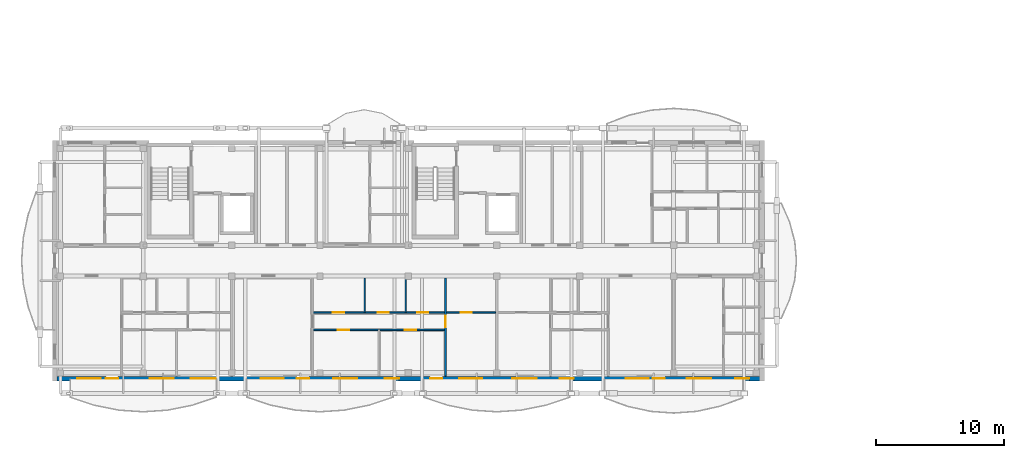
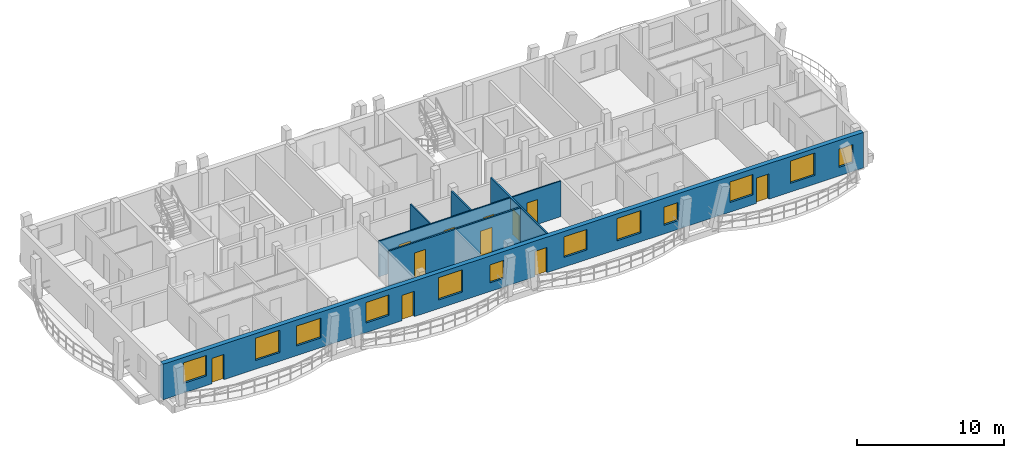
# One storey, part 16 of 48: 12 windows, 11 doors, 6 walls, 23 openings.
"""IFC4 building model written with IfcOpenShell, lengths in metres."""

from ifc_helpers import new_model, si_unit, direction, frame, frame_2d, origin, origin_with_axes, place, context, subcontext, project, spatial, rectangle, extrude, material, layer, layer_set, type_object, element, fill, save


model = new_model("IFC4")

# Units and contexts
model_context = context("Model", 3, precision=1e-05, world=origin(), true_north=direction((0.0, 1.0)))
body_context = subcontext(model_context, "Body", "Model", "MODEL_VIEW")
ifc_project = project(units=[si_unit("LENGTHUNIT", "METRE"), si_unit("AREAUNIT", "SQUARE_METRE"), si_unit("VOLUMEUNIT", "CUBIC_METRE"), si_unit("PLANEANGLEUNIT", "RADIAN"), si_unit("MASSUNIT", "GRAM", prefix="KILO")], contexts=[model_context])

# Site, building, storey
site_placement = place(None, origin())
site = spatial("IfcSite", under=ifc_project, at=site_placement, CompositionType="ELEMENT")
building_placement = place(site_placement, origin())
building = spatial("IfcBuilding", under=site, at=building_placement, Name="Zavelmont Quarter", CompositionType="ELEMENT")
storey_placement = place(building_placement, frame((0.0, 0.0, 17.60009765625)))
storey = spatial("IfcBuildingStorey", under=building, at=storey_placement, Name="L05", CompositionType="ELEMENT", Elevation=17.60009765625)

# Wall, openings, doors, windows
ifc_material_1 = material(Name="Natural Belgian limestone", Category="masonry")
ifc_layer_1 = layer(ifc_material_1, 0.360107421875)
ifc_layer_set_1 = layer_set([ifc_layer_1], Name="Natural Belgian limestone")
wall_type_1 = type_object("IfcWallType", Name="EW02", PredefinedType="STANDARD", material=ifc_layer_set_1)
wall_1_placement = place(storey_placement, frame((0.169921875, 0.0, 0.0), z_axis=(0.0, 0.0, 1.0), x_axis=(1.0, 0.0, 0.0)))
wall_1 = element("IfcWall", 1, at=wall_1_placement, inside=storey, type_object=wall_type_1, Name="L05 exterior limestone wall EW02", PredefinedType="STANDARD", context=body_context, shape_type="SweptSolid", body=[
    extrude(rectangle(XDim=54.860107421875, YDim=0.360107421875, at=frame_2d((27.43017578125, 0.0))), origin(), (0.0, 0.0, 1.0), 2.949951171875),
])
opening_1_placement = place(wall_1_placement, frame((3.822998046875, 0.0, 0.0)))
opening_1 = element("IfcOpeningElement", 2, at=opening_1_placement, cuts=wall_1, Name="Opening DR04", PredefinedType="OPENING", context=body_context, shape_type="SweptSolid", body=[
    extrude(rectangle(XDim=0.949951171875, YDim=2.10009765625, at=frame_2d((0.47509765625, 1.050048828125))), frame((0.0, 0.19189453125, 0.0), z_axis=(0.0, -1.0, 0.0), x_axis=(1.0, 0.0, 0.0)), (0.0, 0.0, 1.0), 0.384033203125),
])
opening_2_placement = place(wall_1_placement, frame((18.722900390625, 0.0, 0.0)))
opening_2 = element("IfcOpeningElement", 3, at=opening_2_placement, cuts=wall_1, Name="Opening DR04", PredefinedType="OPENING", context=body_context, shape_type="SweptSolid", body=[
    extrude(rectangle(XDim=0.949951171875, YDim=2.10009765625, at=frame_2d((0.47509765625, 1.050048828125))), frame((0.0, 0.19189453125, 0.0), z_axis=(0.0, -1.0, 0.0), x_axis=(1.0, 0.0, 0.0)), (0.0, 0.0, 1.0), 0.384033203125),
])
opening_3_placement = place(wall_1_placement, frame((29.123046875, 0.0, 0.0)))
opening_3 = element("IfcOpeningElement", 4, at=opening_3_placement, cuts=wall_1, Name="Opening DR04", PredefinedType="OPENING", context=body_context, shape_type="SweptSolid", body=[
    extrude(rectangle(XDim=0.949951171875, YDim=2.10009765625, at=frame_2d((0.47509765625, 1.050048828125))), frame((0.0, 0.19189453125, 0.0), z_axis=(0.0, -1.0, 0.0), x_axis=(1.0, 0.0, 0.0)), (0.0, 0.0, 1.0), 0.384033203125),
])
opening_4_placement = place(wall_1_placement, frame((46.5, 0.0, 0.0)))
opening_4 = element("IfcOpeningElement", 5, at=opening_4_placement, cuts=wall_1, Name="Opening DR04", PredefinedType="OPENING", context=body_context, shape_type="SweptSolid", body=[
    extrude(rectangle(XDim=0.949951171875, YDim=2.10009765625, at=frame_2d((0.47509765625, 1.050048828125))), frame((0.0, 0.19189453125, 0.0), z_axis=(0.0, -1.0, 0.0), x_axis=(1.0, 0.0, 0.0)), (0.0, 0.0, 1.0), 0.384033203125),
])
opening_5_placement = place(wall_1_placement, frame((1.60009765625, 0.0, 0.800048828125)))
opening_5 = element("IfcOpeningElement", 6, at=opening_5_placement, cuts=wall_1, Name="Opening WN02", PredefinedType="OPENING", context=body_context, shape_type="SweptSolid", body=[
    extrude(rectangle(XDim=1.800048828125, YDim=1.699951171875, at=frame_2d((0.89990234375, 0.85009765625))), frame((0.0, 0.19189453125, 0.0), z_axis=(0.0, -1.0, 0.0), x_axis=(1.0, 0.0, 0.0)), (0.0, 0.0, 1.0), 0.384033203125),
])
opening_6_placement = place(wall_1_placement, frame((7.232421875, 0.0, 0.719970703125)))
opening_6 = element("IfcOpeningElement", 7, at=opening_6_placement, cuts=wall_1, Name="Opening WN20", PredefinedType="OPENING", context=body_context, shape_type="SweptSolid", body=[
    extrude(rectangle(XDim=1.89990234375, YDim=1.85009765625, at=frame_2d((0.949951171875, 0.925048828125))), frame((0.0, 0.19189453125, 0.0), z_axis=(0.0, -1.0, 0.0), x_axis=(1.0, 0.0, 0.0)), (0.0, 0.0, 1.0), 0.384033203125),
])
opening_7_placement = place(wall_1_placement, frame((10.425048828125, 0.0, 0.800048828125)))
opening_7 = element("IfcOpeningElement", 8, at=opening_7_placement, cuts=wall_1, Name="Opening WN24", PredefinedType="OPENING", context=body_context, shape_type="SweptSolid", body=[
    extrude(rectangle(XDim=1.949951171875, YDim=1.64990234375, at=frame_2d((0.97509765625, 0.824951171875))), frame((0.0, 0.19189453125, 0.0), z_axis=(0.0, -1.0, 0.0), x_axis=(1.0, 0.0, 0.0)), (0.0, 0.0, 1.0), 0.384033203125),
])
opening_8_placement = place(wall_1_placement, frame((15.89990234375, 0.0, 0.800048828125)))
opening_8 = element("IfcOpeningElement", 9, at=opening_8_placement, cuts=wall_1, Name="Opening WN02", PredefinedType="OPENING", context=body_context, shape_type="SweptSolid", body=[
    extrude(rectangle(XDim=1.800048828125, YDim=1.699951171875, at=frame_2d((0.89990234375, 0.85009765625))), frame((0.0, 0.19189453125, 0.0), z_axis=(0.0, -1.0, 0.0), x_axis=(1.0, 0.0, 0.0)), (0.0, 0.0, 1.0), 0.384033203125),
])
opening_9_placement = place(wall_1_placement, frame((21.550048828125, 0.0, 0.719970703125)))
opening_9 = element("IfcOpeningElement", 10, at=opening_9_placement, cuts=wall_1, Name="Opening WN20", PredefinedType="OPENING", context=body_context, shape_type="SweptSolid", body=[
    extrude(rectangle(XDim=1.89990234375, YDim=1.85009765625, at=frame_2d((0.949951171875, 0.925048828125))), frame((0.0, 0.19189453125, 0.0), z_axis=(0.0, -1.0, 0.0), x_axis=(1.0, 0.0, 0.0)), (0.0, 0.0, 1.0), 0.384033203125),
])
opening_10_placement = place(wall_1_placement, frame((25.60009765625, 0.0, 0.719970703125)))
opening_10 = element("IfcOpeningElement", 11, at=opening_10_placement, cuts=wall_1, Name="Opening WN09", PredefinedType="OPENING", context=body_context, shape_type="SweptSolid", body=[
    extrude(rectangle(XDim=1.10009765625, YDim=1.5, at=frame_2d((0.550048828125, 0.75))), frame((0.0, 0.19189453125, 0.0), z_axis=(0.0, -1.0, 0.0), x_axis=(1.0, 0.0, 0.0)), (0.0, 0.0, 1.0), 0.384033203125),
])
opening_11_placement = place(wall_1_placement, frame((31.39990234375, 0.0, 0.800048828125)))
opening_11 = element("IfcOpeningElement", 12, at=opening_11_placement, cuts=wall_1, Name="Opening WN02", PredefinedType="OPENING", context=body_context, shape_type="SweptSolid", body=[
    extrude(rectangle(XDim=1.800048828125, YDim=1.699951171875, at=frame_2d((0.89990234375, 0.85009765625))), frame((0.0, 0.19189453125, 0.0), z_axis=(0.0, -1.0, 0.0), x_axis=(1.0, 0.0, 0.0)), (0.0, 0.0, 1.0), 0.384033203125),
])
opening_12_placement = place(wall_1_placement, frame((35.550048828125, 0.0, 0.719970703125)))
opening_12 = element("IfcOpeningElement", 13, at=opening_12_placement, cuts=wall_1, Name="Opening WN20", PredefinedType="OPENING", context=body_context, shape_type="SweptSolid", body=[
    extrude(rectangle(XDim=1.89990234375, YDim=1.85009765625, at=frame_2d((0.949951171875, 0.925048828125))), frame((0.0, 0.19189453125, 0.0), z_axis=(0.0, -1.0, 0.0), x_axis=(1.0, 0.0, 0.0)), (0.0, 0.0, 1.0), 0.384033203125),
])
opening_13_placement = place(wall_1_placement, frame((39.25, 0.0, 0.719970703125)))
opening_13 = element("IfcOpeningElement", 14, at=opening_13_placement, cuts=wall_1, Name="Opening WN09", PredefinedType="OPENING", context=body_context, shape_type="SweptSolid", body=[
    extrude(rectangle(XDim=1.10009765625, YDim=1.5, at=frame_2d((0.550048828125, 0.75))), frame((0.0, 0.19189453125, 0.0), z_axis=(0.0, -1.0, 0.0), x_axis=(1.0, 0.0, 0.0)), (0.0, 0.0, 1.0), 0.384033203125),
])
opening_14_placement = place(wall_1_placement, frame((44.39990234375, 0.0, 0.800048828125)))
opening_14 = element("IfcOpeningElement", 15, at=opening_14_placement, cuts=wall_1, Name="Opening WN02", PredefinedType="OPENING", context=body_context, shape_type="SweptSolid", body=[
    extrude(rectangle(XDim=1.800048828125, YDim=1.699951171875, at=frame_2d((0.89990234375, 0.85009765625))), frame((0.0, 0.19189453125, 0.0), z_axis=(0.0, -1.0, 0.0), x_axis=(1.0, 0.0, 0.0)), (0.0, 0.0, 1.0), 0.384033203125),
])
opening_15_placement = place(wall_1_placement, frame((49.14990234375, 0.0, 0.719970703125)))
opening_15 = element("IfcOpeningElement", 16, at=opening_15_placement, cuts=wall_1, Name="Opening WN20", PredefinedType="OPENING", context=body_context, shape_type="SweptSolid", body=[
    extrude(rectangle(XDim=1.89990234375, YDim=1.85009765625, at=frame_2d((0.949951171875, 0.925048828125))), frame((0.0, 0.19189453125, 0.0), z_axis=(0.0, -1.0, 0.0), x_axis=(1.0, 0.0, 0.0)), (0.0, 0.0, 1.0), 0.384033203125),
])
opening_16_placement = place(wall_1_placement, frame((52.949951171875, 0.0, 0.719970703125)))
opening_16 = element("IfcOpeningElement", 17, at=opening_16_placement, cuts=wall_1, Name="Opening WN09", PredefinedType="OPENING", context=body_context, shape_type="SweptSolid", body=[
    extrude(rectangle(XDim=1.10009765625, YDim=1.5, at=frame_2d((0.550048828125, 0.75))), frame((0.0, 0.19189453125, 0.0), z_axis=(0.0, -1.0, 0.0), x_axis=(1.0, 0.0, 0.0)), (0.0, 0.0, 1.0), 0.384033203125),
])
ifc_material_2 = material(Name="Thermally broken aluminium and double safety glass", Category="aluminium")
door_type_1 = type_object("IfcDoorType", Name="DR04", OperationType="NOTDEFINED", PredefinedType="DOOR", material=ifc_material_2)
door_1_placement = place(opening_1_placement, origin_with_axes())
door_1 = element("IfcDoor", 18, at=door_1_placement, inside=storey, type_object=door_type_1, Name="Block A L05 glazed balcony door", OperationType="SINGLE_SWING_RIGHT", OverallHeight=2.10009765625, OverallWidth=0.949951171875, PredefinedType="DOOR", context=body_context, shape_type="SweptSolid", body=[
    extrude(rectangle(XDim=0.949951171875, YDim=2.10009765625, at=frame_2d((0.47509765625, 1.050048828125))), frame((0.0, 0.02490234375, 0.0), z_axis=(0.0, -1.0, 0.0), x_axis=(1.0, 0.0, 0.0)), (0.0, 0.0, 1.0), 0.050048828125),
])
fill(opening_1, door_1)
door_2_placement = place(opening_2_placement, origin_with_axes())
door_2 = element("IfcDoor", 19, at=door_2_placement, inside=storey, type_object=door_type_1, Name="Block A L05 glazed balcony door", OperationType="SINGLE_SWING_RIGHT", OverallHeight=2.10009765625, OverallWidth=0.949951171875, PredefinedType="DOOR", context=body_context, shape_type="SweptSolid", body=[
    extrude(rectangle(XDim=0.949951171875, YDim=2.10009765625, at=frame_2d((0.47509765625, 1.050048828125))), frame((0.0, 0.02490234375, 0.0), z_axis=(0.0, -1.0, 0.0), x_axis=(1.0, 0.0, 0.0)), (0.0, 0.0, 1.0), 0.050048828125),
])
fill(opening_2, door_2)
door_3_placement = place(opening_3_placement, origin_with_axes())
door_3 = element("IfcDoor", 20, at=door_3_placement, inside=storey, type_object=door_type_1, Name="Block A L05 glazed balcony door", OperationType="SINGLE_SWING_RIGHT", OverallHeight=2.10009765625, OverallWidth=0.949951171875, PredefinedType="DOOR", context=body_context, shape_type="SweptSolid", body=[
    extrude(rectangle(XDim=0.949951171875, YDim=2.10009765625, at=frame_2d((0.47509765625, 1.050048828125))), frame((0.0, 0.02490234375, 0.0), z_axis=(0.0, -1.0, 0.0), x_axis=(1.0, 0.0, 0.0)), (0.0, 0.0, 1.0), 0.050048828125),
])
fill(opening_3, door_3)
door_4_placement = place(opening_4_placement, origin_with_axes())
door_4 = element("IfcDoor", 21, at=door_4_placement, inside=storey, type_object=door_type_1, Name="Block A L05 glazed balcony door", OperationType="SINGLE_SWING_RIGHT", OverallHeight=2.10009765625, OverallWidth=0.949951171875, PredefinedType="DOOR", context=body_context, shape_type="SweptSolid", body=[
    extrude(rectangle(XDim=0.949951171875, YDim=2.10009765625, at=frame_2d((0.47509765625, 1.050048828125))), frame((0.0, 0.02490234375, 0.0), z_axis=(0.0, -1.0, 0.0), x_axis=(1.0, 0.0, 0.0)), (0.0, 0.0, 1.0), 0.050048828125),
])
fill(opening_4, door_4)
ifc_material_3 = material(Name="Double low-E insulated glazing in thermally broken aluminium frame", Category="aluminium")
window_type_1 = type_object("IfcWindowType", Name="WN02", PartitioningType="SINGLE_PANEL", PredefinedType="WINDOW", material=ifc_material_3)
window_1_placement = place(opening_5_placement, origin_with_axes())
window_1 = element("IfcWindow", 22, at=window_1_placement, inside=storey, type_object=window_type_1, Name="L05 window WN02", OverallHeight=1.699951171875, OverallWidth=1.800048828125, PartitioningType="SINGLE_PANEL", PredefinedType="WINDOW", context=body_context, shape_type="SweptSolid", body=[
    extrude(rectangle(XDim=1.800048828125, YDim=1.699951171875, at=frame_2d((0.89990234375, 0.85009765625))), frame((0.0, 0.030029296875, 0.0), z_axis=(0.0, -1.0, 0.0), x_axis=(1.0, 0.0, 0.0)), (0.0, 0.0, 1.0), 0.06005859375),
])
fill(opening_5, window_1)
window_2_placement = place(opening_8_placement, origin_with_axes())
window_2 = element("IfcWindow", 23, at=window_2_placement, inside=storey, type_object=window_type_1, Name="L05 window WN02", OverallHeight=1.699951171875, OverallWidth=1.800048828125, PartitioningType="SINGLE_PANEL", PredefinedType="WINDOW", context=body_context, shape_type="SweptSolid", body=[
    extrude(rectangle(XDim=1.800048828125, YDim=1.699951171875, at=frame_2d((0.89990234375, 0.85009765625))), frame((0.0, 0.030029296875, 0.0), z_axis=(0.0, -1.0, 0.0), x_axis=(1.0, 0.0, 0.0)), (0.0, 0.0, 1.0), 0.06005859375),
])
fill(opening_8, window_2)
window_3_placement = place(opening_11_placement, origin_with_axes())
window_3 = element("IfcWindow", 24, at=window_3_placement, inside=storey, type_object=window_type_1, Name="L05 window WN02", OverallHeight=1.699951171875, OverallWidth=1.800048828125, PartitioningType="SINGLE_PANEL", PredefinedType="WINDOW", context=body_context, shape_type="SweptSolid", body=[
    extrude(rectangle(XDim=1.800048828125, YDim=1.699951171875, at=frame_2d((0.89990234375, 0.85009765625))), frame((0.0, 0.030029296875, 0.0), z_axis=(0.0, -1.0, 0.0), x_axis=(1.0, 0.0, 0.0)), (0.0, 0.0, 1.0), 0.06005859375),
])
fill(opening_11, window_3)
window_4_placement = place(opening_14_placement, origin_with_axes())
window_4 = element("IfcWindow", 25, at=window_4_placement, inside=storey, type_object=window_type_1, Name="L05 window WN02", OverallHeight=1.699951171875, OverallWidth=1.800048828125, PartitioningType="SINGLE_PANEL", PredefinedType="WINDOW", context=body_context, shape_type="SweptSolid", body=[
    extrude(rectangle(XDim=1.800048828125, YDim=1.699951171875, at=frame_2d((0.89990234375, 0.85009765625))), frame((0.0, 0.030029296875, 0.0), z_axis=(0.0, -1.0, 0.0), x_axis=(1.0, 0.0, 0.0)), (0.0, 0.0, 1.0), 0.06005859375),
])
fill(opening_14, window_4)
window_type_2 = type_object("IfcWindowType", Name="WN09", PartitioningType="SINGLE_PANEL", PredefinedType="WINDOW", material=ifc_material_3)
window_5_placement = place(opening_10_placement, origin_with_axes())
window_5 = element("IfcWindow", 26, at=window_5_placement, inside=storey, type_object=window_type_2, Name="L05 window WN09", OverallHeight=1.5, OverallWidth=1.10009765625, PartitioningType="SINGLE_PANEL", PredefinedType="WINDOW", context=body_context, shape_type="SweptSolid", body=[
    extrude(rectangle(XDim=1.10009765625, YDim=1.5, at=frame_2d((0.550048828125, 0.75))), frame((0.0, 0.030029296875, 0.0), z_axis=(0.0, -1.0, 0.0), x_axis=(1.0, 0.0, 0.0)), (0.0, 0.0, 1.0), 0.06005859375),
])
fill(opening_10, window_5)
window_6_placement = place(opening_13_placement, origin_with_axes())
window_6 = element("IfcWindow", 27, at=window_6_placement, inside=storey, type_object=window_type_2, Name="L05 window WN09", OverallHeight=1.5, OverallWidth=1.10009765625, PartitioningType="SINGLE_PANEL", PredefinedType="WINDOW", context=body_context, shape_type="SweptSolid", body=[
    extrude(rectangle(XDim=1.10009765625, YDim=1.5, at=frame_2d((0.550048828125, 0.75))), frame((0.0, 0.030029296875, 0.0), z_axis=(0.0, -1.0, 0.0), x_axis=(1.0, 0.0, 0.0)), (0.0, 0.0, 1.0), 0.06005859375),
])
fill(opening_13, window_6)
window_7_placement = place(opening_16_placement, origin_with_axes())
window_7 = element("IfcWindow", 28, at=window_7_placement, inside=storey, type_object=window_type_2, Name="L05 window WN09", OverallHeight=1.5, OverallWidth=1.10009765625, PartitioningType="SINGLE_PANEL", PredefinedType="WINDOW", context=body_context, shape_type="SweptSolid", body=[
    extrude(rectangle(XDim=1.10009765625, YDim=1.5, at=frame_2d((0.550048828125, 0.75))), frame((0.0, 0.030029296875, 0.0), z_axis=(0.0, -1.0, 0.0), x_axis=(1.0, 0.0, 0.0)), (0.0, 0.0, 1.0), 0.06005859375),
])
fill(opening_16, window_7)
window_type_3 = type_object("IfcWindowType", Name="WN20", PartitioningType="SINGLE_PANEL", PredefinedType="WINDOW", material=ifc_material_3)
window_8_placement = place(opening_6_placement, origin_with_axes())
window_8 = element("IfcWindow", 29, at=window_8_placement, inside=storey, type_object=window_type_3, Name="L05 window WN20", OverallHeight=1.85009765625, OverallWidth=1.89990234375, PartitioningType="SINGLE_PANEL", PredefinedType="WINDOW", context=body_context, shape_type="SweptSolid", body=[
    extrude(rectangle(XDim=1.89990234375, YDim=1.85009765625, at=frame_2d((0.949951171875, 0.925048828125))), frame((0.0, 0.030029296875, 0.0), z_axis=(0.0, -1.0, 0.0), x_axis=(1.0, 0.0, 0.0)), (0.0, 0.0, 1.0), 0.06005859375),
])
fill(opening_6, window_8)
window_9_placement = place(opening_9_placement, origin_with_axes())
window_9 = element("IfcWindow", 30, at=window_9_placement, inside=storey, type_object=window_type_3, Name="L05 window WN20", OverallHeight=1.85009765625, OverallWidth=1.89990234375, PartitioningType="SINGLE_PANEL", PredefinedType="WINDOW", context=body_context, shape_type="SweptSolid", body=[
    extrude(rectangle(XDim=1.89990234375, YDim=1.85009765625, at=frame_2d((0.949951171875, 0.925048828125))), frame((0.0, 0.030029296875, 0.0), z_axis=(0.0, -1.0, 0.0), x_axis=(1.0, 0.0, 0.0)), (0.0, 0.0, 1.0), 0.06005859375),
])
fill(opening_9, window_9)
window_10_placement = place(opening_12_placement, origin_with_axes())
window_10 = element("IfcWindow", 31, at=window_10_placement, inside=storey, type_object=window_type_3, Name="L05 window WN20", OverallHeight=1.85009765625, OverallWidth=1.89990234375, PartitioningType="SINGLE_PANEL", PredefinedType="WINDOW", context=body_context, shape_type="SweptSolid", body=[
    extrude(rectangle(XDim=1.89990234375, YDim=1.85009765625, at=frame_2d((0.949951171875, 0.925048828125))), frame((0.0, 0.030029296875, 0.0), z_axis=(0.0, -1.0, 0.0), x_axis=(1.0, 0.0, 0.0)), (0.0, 0.0, 1.0), 0.06005859375),
])
fill(opening_12, window_10)
window_11_placement = place(opening_15_placement, origin_with_axes())
window_11 = element("IfcWindow", 32, at=window_11_placement, inside=storey, type_object=window_type_3, Name="L05 window WN20", OverallHeight=1.85009765625, OverallWidth=1.89990234375, PartitioningType="SINGLE_PANEL", PredefinedType="WINDOW", context=body_context, shape_type="SweptSolid", body=[
    extrude(rectangle(XDim=1.89990234375, YDim=1.85009765625, at=frame_2d((0.949951171875, 0.925048828125))), frame((0.0, 0.030029296875, 0.0), z_axis=(0.0, -1.0, 0.0), x_axis=(1.0, 0.0, 0.0)), (0.0, 0.0, 1.0), 0.06005859375),
])
fill(opening_15, window_11)
window_type_4 = type_object("IfcWindowType", Name="WN24", PartitioningType="SINGLE_PANEL", PredefinedType="WINDOW", material=ifc_material_3)
window_12_placement = place(opening_7_placement, origin_with_axes())
window_12 = element("IfcWindow", 33, at=window_12_placement, inside=storey, type_object=window_type_4, Name="L05 window WN24", OverallHeight=1.64990234375, OverallWidth=1.949951171875, PartitioningType="SINGLE_PANEL", PredefinedType="WINDOW", context=body_context, shape_type="SweptSolid", body=[
    extrude(rectangle(XDim=1.949951171875, YDim=1.64990234375, at=frame_2d((0.97509765625, 0.824951171875))), frame((0.0, 0.030029296875, 0.0), z_axis=(0.0, -1.0, 0.0), x_axis=(1.0, 0.0, 0.0)), (0.0, 0.0, 1.0), 0.06005859375),
])
fill(opening_7, window_12)

# Wall, opening, door
ifc_material_4 = material(Name="Double gypsum board on acoustic steel stud", Category="steel")
ifc_layer_2 = layer(ifc_material_4, 0.125)
ifc_layer_set_2 = layer_set([ifc_layer_2], Name="Double gypsum board on acoustic steel stud")
wall_type_2 = type_object("IfcWallType", Name="IW03", PredefinedType="PARTITIONING", material=ifc_layer_set_2)
wall_2_placement = place(storey_placement, frame((30.5, 7.85009765625, 0.0), z_axis=(0.0, 0.0, 1.0), x_axis=(0.0, -1.0, 0.0)))
wall_2 = element("IfcWall", 34, at=wall_2_placement, inside=storey, type_object=wall_type_2, Name="L05 Partition IW03", PredefinedType="PARTITIONING", context=body_context, shape_type="SweptSolid", body=[
    extrude(rectangle(XDim=7.650146484375, YDim=0.125, at=frame_2d((3.8251953125, 0.0))), origin(), (0.0, 0.0, 1.0), 2.949951171875),
])
opening_17_placement = place(wall_2_placement, frame((2.949951171875, 0.0, 0.0)))
opening_17 = element("IfcOpeningElement", 35, at=opening_17_placement, cuts=wall_2, Name="Opening DR05", PredefinedType="OPENING", context=body_context, shape_type="SweptSolid", body=[
    extrude(rectangle(XDim=0.89990234375, YDim=2.10009765625, at=frame_2d((0.449951171875, 1.050048828125))), frame((0.0, 0.074462890625, 0.0), z_axis=(0.0, -1.0, 0.0), x_axis=(1.0, 0.0, 0.0)), (0.0, 0.0, 1.0), 0.14892578125),
])
ifc_material_5 = material(Name="Engineered oak flush interior door")
door_type_2 = type_object("IfcDoorType", Name="DR05", OperationType="NOTDEFINED", PredefinedType="DOOR", material=ifc_material_5)
door_5_placement = place(opening_17_placement, frame((0.89990234375, 0.0, 0.0), z_axis=(0.0, 0.0, 1.0), x_axis=(-1.0, 0.0, 0.0)))
door_5 = element("IfcDoor", 36, at=door_5_placement, inside=storey, type_object=door_type_2, Name="L05 door DR05", OperationType="SINGLE_SWING_LEFT", OverallHeight=2.10009765625, OverallWidth=0.89990234375, PredefinedType="DOOR", context=body_context, shape_type="SweptSolid", body=[
    extrude(rectangle(XDim=0.89990234375, YDim=2.10009765625, at=frame_2d((0.449951171875, 1.050048828125))), frame((0.0, 0.02490234375, 0.0), z_axis=(0.0, -1.0, 0.0), x_axis=(1.0, 0.0, 0.0)), (0.0, 0.0, 1.0), 0.050048828125),
])
fill(opening_17, door_5)

# Wall, openings, doors
wall_3_placement = place(storey_placement, frame((20.10009765625, 3.800048828125, 0.0), z_axis=(0.0, 0.0, 1.0), x_axis=(1.0, 0.0, 0.0)))
wall_3 = element("IfcWall", 37, at=wall_3_placement, inside=storey, type_object=wall_type_2, Name="L05 Partition IW03", PredefinedType="PARTITIONING", context=body_context, shape_type="SweptSolid", body=[
    extrude(rectangle(XDim=10.39990234375, YDim=0.125, at=frame_2d((5.199951171875, 0.0))), origin(), (0.0, 0.0, 1.0), 2.949951171875),
])
opening_18_placement = place(wall_3_placement, frame((2.0, 0.0, 0.0)))
opening_18 = element("IfcOpeningElement", 38, at=opening_18_placement, cuts=wall_3, Name="Opening DR05", PredefinedType="OPENING", context=body_context, shape_type="SweptSolid", body=[
    extrude(rectangle(XDim=0.89990234375, YDim=2.10009765625, at=frame_2d((0.449951171875, 1.050048828125))), frame((0.0, 0.074462890625, 0.0), z_axis=(0.0, -1.0, 0.0), x_axis=(1.0, 0.0, 0.0)), (0.0, 0.0, 1.0), 0.14892578125),
])
opening_19_placement = place(wall_3_placement, frame((7.199951171875, 0.0, 0.0)))
opening_19 = element("IfcOpeningElement", 39, at=opening_19_placement, cuts=wall_3, Name="Opening DR05", PredefinedType="OPENING", context=body_context, shape_type="SweptSolid", body=[
    extrude(rectangle(XDim=0.89990234375, YDim=2.10009765625, at=frame_2d((0.449951171875, 1.050048828125))), frame((0.0, 0.074462890625, 0.0), z_axis=(0.0, -1.0, 0.0), x_axis=(1.0, 0.0, 0.0)), (0.0, 0.0, 1.0), 0.14892578125),
])
door_6_placement = place(opening_18_placement, origin_with_axes())
door_6 = element("IfcDoor", 40, at=door_6_placement, inside=storey, type_object=door_type_2, Name="L05 door DR05", OperationType="SINGLE_SWING_RIGHT", OverallHeight=2.10009765625, OverallWidth=0.89990234375, PredefinedType="DOOR", context=body_context, shape_type="SweptSolid", body=[
    extrude(rectangle(XDim=0.89990234375, YDim=2.10009765625, at=frame_2d((0.449951171875, 1.050048828125))), frame((0.0, 0.02490234375, 0.0), z_axis=(0.0, -1.0, 0.0), x_axis=(1.0, 0.0, 0.0)), (0.0, 0.0, 1.0), 0.050048828125),
])
fill(opening_18, door_6)
door_7_placement = place(opening_19_placement, frame((0.89990234375, 0.0, 0.0), z_axis=(0.0, 0.0, 1.0), x_axis=(-1.0, 0.0, 0.0)))
door_7 = element("IfcDoor", 41, at=door_7_placement, inside=storey, type_object=door_type_2, Name="L05 door DR05", OperationType="SINGLE_SWING_LEFT", OverallHeight=2.10009765625, OverallWidth=0.89990234375, PredefinedType="DOOR", context=body_context, shape_type="SweptSolid", body=[
    extrude(rectangle(XDim=0.89990234375, YDim=2.10009765625, at=frame_2d((0.449951171875, 1.050048828125))), frame((0.0, 0.02490234375, 0.0), z_axis=(0.0, -1.0, 0.0), x_axis=(1.0, 0.0, 0.0)), (0.0, 0.0, 1.0), 0.050048828125),
])
fill(opening_19, door_7)

# Walls
ifc_material_6 = material(Name="Moisture-resistant gypsum board on steel stud", Category="steel")
ifc_layer_3 = layer(ifc_material_6, 0.10009765625)
ifc_layer_set_3 = layer_set([ifc_layer_3], Name="Moisture-resistant gypsum board on steel stud")
wall_type_3 = type_object("IfcWallType", Name="IW04", PredefinedType="PARTITIONING", material=ifc_layer_set_3)
for number, where, z_axis, x_axis, name in (
    (42, (24.199951171875, 7.85009765625, 0.0), (0.0, 0.0, 1.0), (0.0, -1.0, 0.0), "L05 Partition IW04"),
    (43, (27.39990234375, 7.85009765625, 0.0), (0.0, 0.0, 1.0), (0.0, -1.0, 0.0), "L05 Partition IW04"),
):
    element("IfcWall", number, at=place(storey_placement, frame(where, z_axis=z_axis, x_axis=x_axis)), inside=storey, type_object=wall_type_3, Name=name, PredefinedType="PARTITIONING", context=body_context, shape_type="SweptSolid", body=[
        extrude(rectangle(XDim=2.7001953125, YDim=0.10009765625, at=frame_2d((1.35009765625, 0.0))), origin(), (0.0, 0.0, 1.0), 2.949951171875),
    ])

# Wall, openings, doors
wall_4_placement = place(storey_placement, frame((20.10009765625, 5.14990234375, 0.0), z_axis=(0.0, 0.0, 1.0), x_axis=(1.0, 0.0, 0.0)))
wall_4 = element("IfcWall", 44, at=wall_4_placement, inside=storey, type_object=wall_type_3, Name="L05 Partition IW04", PredefinedType="PARTITIONING", context=body_context, shape_type="SweptSolid", body=[
    extrude(rectangle(XDim=14.2998046875, YDim=0.10009765625, at=frame_2d((7.14990234375, 0.0))), origin(), (0.0, 0.0, 1.0), 2.949951171875),
])
opening_20_placement = place(wall_4_placement, frame((1.60009765625, 0.0, 0.0)))
opening_20 = element("IfcOpeningElement", 45, at=opening_20_placement, cuts=wall_4, Name="Opening DR05", PredefinedType="OPENING", context=body_context, shape_type="SweptSolid", body=[
    extrude(rectangle(XDim=0.89990234375, YDim=2.10009765625, at=frame_2d((0.449951171875, 1.050048828125))), frame((0.0, 0.06201171875, 0.0), z_axis=(0.0, -1.0, 0.0), x_axis=(1.0, 0.0, 0.0)), (0.0, 0.0, 1.0), 0.1240234375),
])
opening_21_placement = place(wall_4_placement, frame((5.10009765625, 0.0, 0.0)))
opening_21 = element("IfcOpeningElement", 46, at=opening_21_placement, cuts=wall_4, Name="Opening DR06", PredefinedType="OPENING", context=body_context, shape_type="SweptSolid", body=[
    extrude(rectangle(XDim=0.85009765625, YDim=2.050048828125, at=frame_2d((0.425048828125, 1.02490234375))), frame((0.0, 0.06201171875, 0.0), z_axis=(0.0, -1.0, 0.0), x_axis=(1.0, 0.0, 0.0)), (0.0, 0.0, 1.0), 0.1240234375),
])
opening_22_placement = place(wall_4_placement, frame((8.199951171875, 0.0, 0.0)))
opening_22 = element("IfcOpeningElement", 47, at=opening_22_placement, cuts=wall_4, Name="Opening DR06", PredefinedType="OPENING", context=body_context, shape_type="SweptSolid", body=[
    extrude(rectangle(XDim=0.85009765625, YDim=2.050048828125, at=frame_2d((0.425048828125, 1.02490234375))), frame((0.0, 0.06201171875, 0.0), z_axis=(0.0, -1.0, 0.0), x_axis=(1.0, 0.0, 0.0)), (0.0, 0.0, 1.0), 0.1240234375),
])
opening_23_placement = place(wall_4_placement, frame((11.60009765625, 0.0, 0.0)))
opening_23 = element("IfcOpeningElement", 48, at=opening_23_placement, cuts=wall_4, Name="Opening DR06", PredefinedType="OPENING", context=body_context, shape_type="SweptSolid", body=[
    extrude(rectangle(XDim=0.85009765625, YDim=2.050048828125, at=frame_2d((0.425048828125, 1.02490234375))), frame((0.0, 0.06201171875, 0.0), z_axis=(0.0, -1.0, 0.0), x_axis=(1.0, 0.0, 0.0)), (0.0, 0.0, 1.0), 0.1240234375),
])
door_8_placement = place(opening_20_placement, origin_with_axes())
door_8 = element("IfcDoor", 49, at=door_8_placement, inside=storey, type_object=door_type_2, Name="L05 door DR05", OperationType="SINGLE_SWING_RIGHT", OverallHeight=2.10009765625, OverallWidth=0.89990234375, PredefinedType="DOOR", context=body_context, shape_type="SweptSolid", body=[
    extrude(rectangle(XDim=0.89990234375, YDim=2.10009765625, at=frame_2d((0.449951171875, 1.050048828125))), frame((0.0, 0.02490234375, 0.0), z_axis=(0.0, -1.0, 0.0), x_axis=(1.0, 0.0, 0.0)), (0.0, 0.0, 1.0), 0.050048828125),
])
fill(opening_20, door_8)
ifc_material_7 = material(Name="Moisture-resistant painted wet-room door")
door_type_3 = type_object("IfcDoorType", Name="DR06", OperationType="NOTDEFINED", PredefinedType="DOOR", material=ifc_material_7)
door_9_placement = place(opening_21_placement, frame((0.85009765625, 0.0, 0.0), z_axis=(0.0, 0.0, 1.0), x_axis=(-1.0, 0.0, 0.0)))
door_9 = element("IfcDoor", 50, at=door_9_placement, inside=storey, type_object=door_type_3, Name="L05 door DR06", OperationType="SINGLE_SWING_LEFT", OverallHeight=2.050048828125, OverallWidth=0.85009765625, PredefinedType="DOOR", context=body_context, shape_type="SweptSolid", body=[
    extrude(rectangle(XDim=0.85009765625, YDim=2.050048828125, at=frame_2d((0.425048828125, 1.02490234375))), frame((0.0, 0.02490234375, 0.0), z_axis=(0.0, -1.0, 0.0), x_axis=(1.0, 0.0, 0.0)), (0.0, 0.0, 1.0), 0.050048828125),
])
fill(opening_21, door_9)
door_10_placement = place(opening_22_placement, origin_with_axes())
door_10 = element("IfcDoor", 51, at=door_10_placement, inside=storey, type_object=door_type_3, Name="L05 door DR06", OperationType="SINGLE_SWING_RIGHT", OverallHeight=2.050048828125, OverallWidth=0.85009765625, PredefinedType="DOOR", context=body_context, shape_type="SweptSolid", body=[
    extrude(rectangle(XDim=0.85009765625, YDim=2.050048828125, at=frame_2d((0.425048828125, 1.02490234375))), frame((0.0, 0.02490234375, 0.0), z_axis=(0.0, -1.0, 0.0), x_axis=(1.0, 0.0, 0.0)), (0.0, 0.0, 1.0), 0.050048828125),
])
fill(opening_22, door_10)
door_11_placement = place(opening_23_placement, frame((0.85009765625, 0.0, 0.0), z_axis=(0.0, 0.0, 1.0), x_axis=(-1.0, 0.0, 0.0)))
door_11 = element("IfcDoor", 52, at=door_11_placement, inside=storey, type_object=door_type_3, Name="L05 door DR06", OperationType="SINGLE_SWING_LEFT", OverallHeight=2.050048828125, OverallWidth=0.85009765625, PredefinedType="DOOR", context=body_context, shape_type="SweptSolid", body=[
    extrude(rectangle(XDim=0.85009765625, YDim=2.050048828125, at=frame_2d((0.425048828125, 1.02490234375))), frame((0.0, 0.02490234375, 0.0), z_axis=(0.0, -1.0, 0.0), x_axis=(1.0, 0.0, 0.0)), (0.0, 0.0, 1.0), 0.050048828125),
])
fill(opening_23, door_11)

save(model, "model.ifc")
